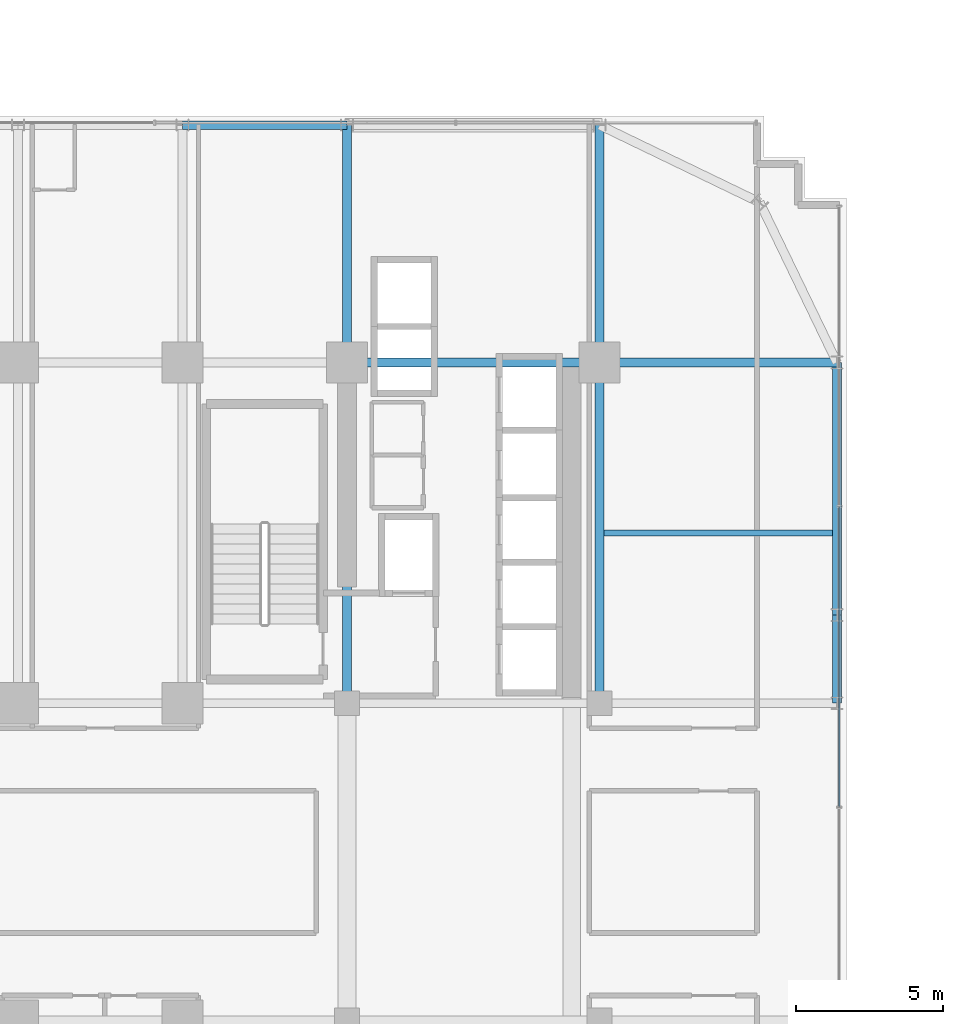
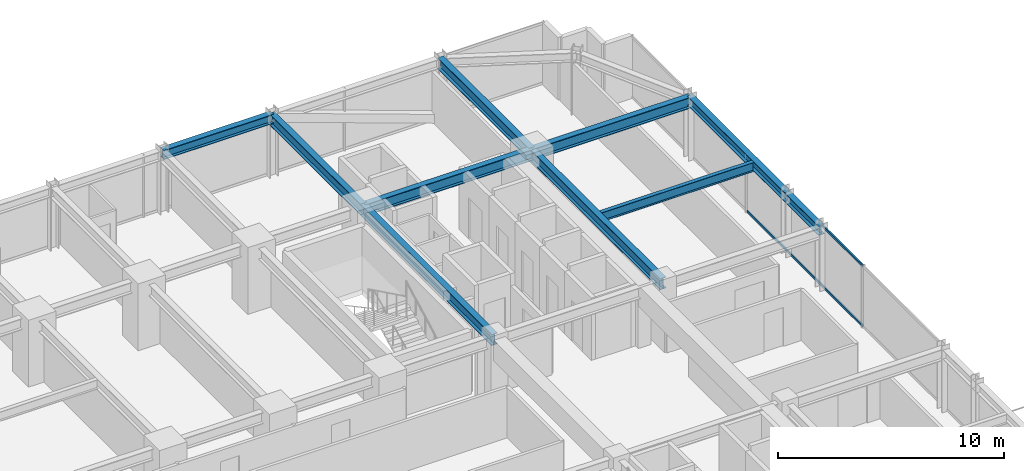
# One storey, part 24 of 35: 10 beams, 2 members, 1 element without a shape of its own.
"""IFC4 building model written with IfcOpenShell, lengths in metres."""

from ifc_helpers import new_model, si_unit, direction, frame, origin, origin_2d, place, context, subcontext, project, spatial, hollow_rectangle, i_section, extrude, source, transform, mapped, material, material_profile, profile_set, type_object, element, aggregate, save


model = new_model("IFC4")

# Units and contexts
model_context = context("Model", 3, precision=1e-05, world=origin(), true_north=direction((0.0, 1.0)))
body_context = subcontext(model_context, "Body", "Model", "MODEL_VIEW")
ifc_project = project(units=[si_unit("LENGTHUNIT", "METRE"), si_unit("AREAUNIT", "SQUARE_METRE"), si_unit("VOLUMEUNIT", "CUBIC_METRE"), si_unit("PLANEANGLEUNIT", "RADIAN"), si_unit("MASSUNIT", "GRAM", prefix="KILO")], contexts=[model_context])

# Site, building, storey
site_placement = place(None, origin())
site = spatial("IfcSite", under=ifc_project, at=site_placement, CompositionType="ELEMENT")
building_placement = place(site_placement, origin())
building = spatial("IfcBuilding", under=site, at=building_placement, Name="Nahalor Promenade Grand Hotel", CompositionType="ELEMENT")
storey_placement = place(building_placement, frame((0.0, 0.0, 39.699951171875)))
storey = spatial("IfcBuildingStorey", under=building, at=storey_placement, Name="L08", CompositionType="ELEMENT", Elevation=39.699951171875)

# Beams
ifc_material_1 = material(Name="Steel S355JR", Category="steel")
ifc_material_profile_1 = material_profile(ifc_material_1, i_section(OverallWidth=0.3, OverallDepth=0.6, WebThickness=0.0155, FlangeThickness=0.03, at=origin_2d()), Name="HEB 600")
ifc_profile_set_1 = profile_set([ifc_material_profile_1], Name="Steel S355JR")
beam_type_1 = type_object("IfcBeamType", Name="Beam-Girder-HEB600", PredefinedType="BEAM", material=ifc_profile_set_1)
shared_shape_1 = source(origin(), body_context, "Body", "SweptSolid", [
    extrude(i_section(OverallWidth=0.3, OverallDepth=0.6, WebThickness=0.0155, FlangeThickness=0.03, at=origin_2d()), origin(), (0.0, 0.0, 1.0), 8.60009765625),
])
beam_1_placement = place(storey_placement, frame((8.39990234375, 17.0, 3.070068359375), z_axis=(1.0, 0.0, 0.0), x_axis=(0.0, 1.0, 0.0)))
element("IfcBeam", 1, at=beam_1_placement, inside=storey, type_object=beam_type_1, Name="BM-L08-GX-3-5", PredefinedType="BEAM", context=body_context, shape_type="MappedRepresentation", body=[
    mapped(shared_shape_1, transform((0.0, 0.0, 0.0), scale=1.0)),
])
shared_shape_2 = source(origin(), body_context, "Body", "SweptSolid", [
    extrude(i_section(OverallWidth=0.3, OverallDepth=0.6, WebThickness=0.0155, FlangeThickness=0.03, at=origin_2d()), origin(), (0.0, 0.0, 1.0), 11.60009765625),
])
for number, where, z_axis, x_axis, name in (
    (2, (8.39990234375, 5.39990234375, 3.070068359375), (0.0, 1.0, 0.0), (-1.0, 0.0, 0.0), "BM-L08-GY-4-3"),
    (3, (17.0, 5.39990234375, 3.070068359375), (0.0, 1.0, 0.0), (-1.0, 0.0, 0.0), "BM-L08-GY-5-3"),
):
    element("IfcBeam", number, at=place(storey_placement, frame(where, z_axis=z_axis, x_axis=x_axis)), inside=storey, type_object=beam_type_1, Name=name, PredefinedType="BEAM", context=body_context, shape_type="MappedRepresentation", body=[
        mapped(shared_shape_2, transform((0.0, 0.0, 0.0), scale=1.0)),
    ])
ifc_material_profile_2 = material_profile(ifc_material_1, i_section(OverallWidth=0.3, OverallDepth=0.5, WebThickness=0.0145, FlangeThickness=0.028, at=origin_2d()), Name="HEB 500")
ifc_profile_set_2 = profile_set([ifc_material_profile_2], Name="Steel S355JR")
beam_type_2 = type_object("IfcBeamType", Name="Beam-Spandrel-HEB500", PredefinedType="SPANDREL", material=ifc_profile_set_2)
shared_shape_3 = source(origin(), body_context, "Body", "SweptSolid", [
    extrude(i_section(OverallWidth=0.3, OverallDepth=0.5, WebThickness=0.0145, FlangeThickness=0.028, at=origin_2d()), origin(), (0.0, 0.0, 1.0), 8.60009765625),
])
beam_2_placement = place(storey_placement, frame((25.080078125, 8.39990234375, 3.1201171875), z_axis=(0.0, 1.0, 0.0), x_axis=(-1.0, 0.0, 0.0)))
element("IfcBeam", 4, at=beam_2_placement, inside=storey, type_object=beam_type_2, Name="BM-L08-SP-E-4", PredefinedType="SPANDREL", context=body_context, shape_type="MappedRepresentation", body=[
    mapped(shared_shape_3, transform((0.0, 0.0, 0.0), scale=1.0)),
])
shared_shape_4 = source(origin(), body_context, "Body", "SweptSolid", [
    extrude(i_section(OverallWidth=0.3, OverallDepth=0.5, WebThickness=0.0145, FlangeThickness=0.028, at=origin_2d()), origin(), (0.0, 0.0, 1.0), 5.599853515625),
])
beam_3_placement = place(storey_placement, frame((2.800048828125, 25.080078125, 3.1201171875), z_axis=(1.0, 0.0, 0.0), x_axis=(0.0, 1.0, 0.0)))
element("IfcBeam", 5, at=beam_3_placement, inside=storey, type_object=beam_type_2, Name="BM-L08-SP-N-3", PredefinedType="SPANDREL", context=body_context, shape_type="MappedRepresentation", body=[
    mapped(shared_shape_4, transform((0.0, 0.0, 0.0), scale=1.0)),
])
shared_shape_5 = source(origin(), body_context, "Body", "SweptSolid", [
    extrude(i_section(OverallWidth=0.3, OverallDepth=0.5, WebThickness=0.0145, FlangeThickness=0.028, at=origin_2d()), origin(), (0.0, 0.0, 1.0), 3.0),
])
beam_4_placement = place(storey_placement, frame((25.080078125, 5.39990234375, 3.1201171875), z_axis=(0.0, 1.0, 0.0), x_axis=(-1.0, 0.0, 0.0)))
element("IfcBeam", 6, at=beam_4_placement, inside=storey, type_object=beam_type_2, Name="BM-L08-SP-E-3", PredefinedType="SPANDREL", context=body_context, shape_type="MappedRepresentation", body=[
    mapped(shared_shape_5, transform((0.0, 0.0, 0.0), scale=1.0)),
])
shared_shape_6 = source(origin(), body_context, "Body", "SweptSolid", [
    extrude(i_section(OverallWidth=0.3, OverallDepth=0.6, WebThickness=0.0155, FlangeThickness=0.03, at=origin_2d()), origin(), (0.0, 0.0, 1.0), 8.080078125),
])
for number, where, z_axis, x_axis, name in (
    (7, (17.0, 17.0, 3.070068359375), (1.0, 0.0, 0.0), (0.0, 1.0, 0.0), "BM-L08-GX-3-6"),
    (8, (8.39990234375, 17.0, 3.070068359375), (0.0, 1.0, 0.0), (-1.0, 0.0, 0.0), "BM-L08-GY-4-4"),
    (9, (17.0, 17.0, 3.070068359375), (0.0, 1.0, 0.0), (-1.0, 0.0, 0.0), "BM-L08-GY-5-4"),
):
    element("IfcBeam", number, at=place(storey_placement, frame(where, z_axis=z_axis, x_axis=x_axis)), inside=storey, type_object=beam_type_1, Name=name, PredefinedType="BEAM", context=body_context, shape_type="MappedRepresentation", body=[
        mapped(shared_shape_6, transform((0.0, 0.0, 0.0), scale=1.0)),
    ])
ifc_material_profile_3 = material_profile(ifc_material_1, i_section(OverallWidth=0.2, OverallDepth=0.5, WebThickness=0.0102, FlangeThickness=0.016, at=origin_2d()), Name="IPE 500")
ifc_profile_set_3 = profile_set([ifc_material_profile_3], Name="Steel S355JR")
beam_type_3 = type_object("IfcBeamType", Name="Beam-Joist-IPE500", PredefinedType="JOIST", material=ifc_profile_set_3)
shared_shape_7 = source(origin(), body_context, "Body", "SweptSolid", [
    extrude(i_section(OverallWidth=0.2, OverallDepth=0.5, WebThickness=0.0102, FlangeThickness=0.016, at=origin_2d()), origin(), (0.0, 0.0, 1.0), 7.780029296875),
])
beam_5_placement = place(storey_placement, frame((17.14990234375, 11.199951171875, 3.1201171875), z_axis=(1.0, 0.0, 0.0), x_axis=(0.0, 1.0, 0.0)))
element("IfcBeam", 10, at=beam_5_placement, inside=storey, type_object=beam_type_3, Name="BM-L08-JSE-1-2", PredefinedType="JOIST", context=body_context, shape_type="MappedRepresentation", body=[
    mapped(shared_shape_7, transform((0.0, 0.0, 0.0), scale=1.0)),
])

# Curtain wall, members
ifc_material_2 = material(Name="Anodised Bronze Aluminium EN AW-6063 T6", Category="aluminium")
curtain_wall_type = type_object("IfcCurtainWallType", Name="CW2 Typical Hotel Flush Bronze Unitised Curtain Wall", PredefinedType="USERDEFINED", material=ifc_material_2)
curtain_wall_placement = place(storey_placement, origin())
curtain_wall = element("IfcCurtainWall", 11, at=curtain_wall_placement, inside=storey, type_object=curtain_wall_type, Name="L08 Curtain Wall CW-L08-E-3", ObjectType="UNITISED_CURTAIN_WALL", PredefinedType="USERDEFINED")
ifc_material_profile_4 = material_profile(ifc_material_2, hollow_rectangle(XDim=0.065, YDim=0.13, WallThickness=0.004, at=origin_2d()), Name="CWT 65x130x4")
ifc_profile_set_4 = profile_set([ifc_material_profile_4], Name="Anodised Bronze Aluminium EN AW-6063 T6")
member_type = type_object("IfcMemberType", Name="CWT2 Typical Bronze Transom 65x130", PredefinedType="USERDEFINED", material=ifc_profile_set_4)
shared_shape_8 = source(origin(), body_context, "Body", "SweptSolid", [
    extrude(hollow_rectangle(XDim=0.065, YDim=0.13, WallThickness=0.004, at=origin_2d()), origin(), (0.0, 0.0, 1.0), 10.1884765625),
])
member_1_placement = place(storey_placement, frame((25.159912109375, 1.8857421875, 0.06494140625), z_axis=(0.0, 1.0, 0.0), x_axis=(-1.0, 0.0, 0.0)))
member_1 = element("IfcMember", 12, at=member_1_placement, type_object=member_type, Name="CW-L08-E-3 Transom 1-0", ObjectType="TRANSOM", PredefinedType="USERDEFINED", context=body_context, shape_type="MappedRepresentation", body=[
    mapped(shared_shape_8, transform((0.0, 0.0, 0.0), scale=1.0)),
])
member_2_placement = place(storey_placement, frame((25.159912109375, 1.8857421875, 3.304931640625), z_axis=(0.0, 1.0, 0.0), x_axis=(-1.0, 0.0, 0.0)))
member_2 = element("IfcMember", 13, at=member_2_placement, type_object=member_type, Name="CW-L08-E-3 Transom 1-1", ObjectType="TRANSOM", PredefinedType="USERDEFINED", context=body_context, shape_type="MappedRepresentation", body=[
    mapped(shared_shape_8, transform((0.0, 0.0, 0.0), scale=1.0)),
])
aggregate(curtain_wall, [member_1, member_2])

save(model, "model.ifc")
